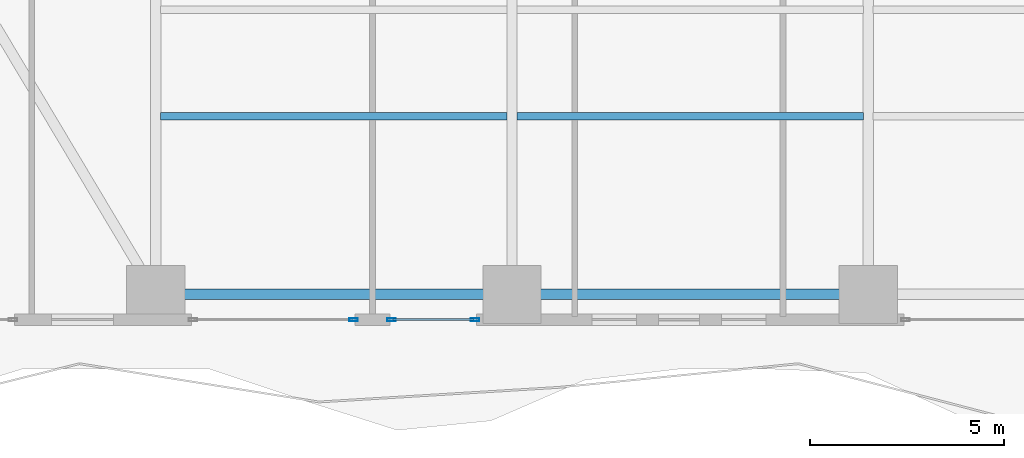
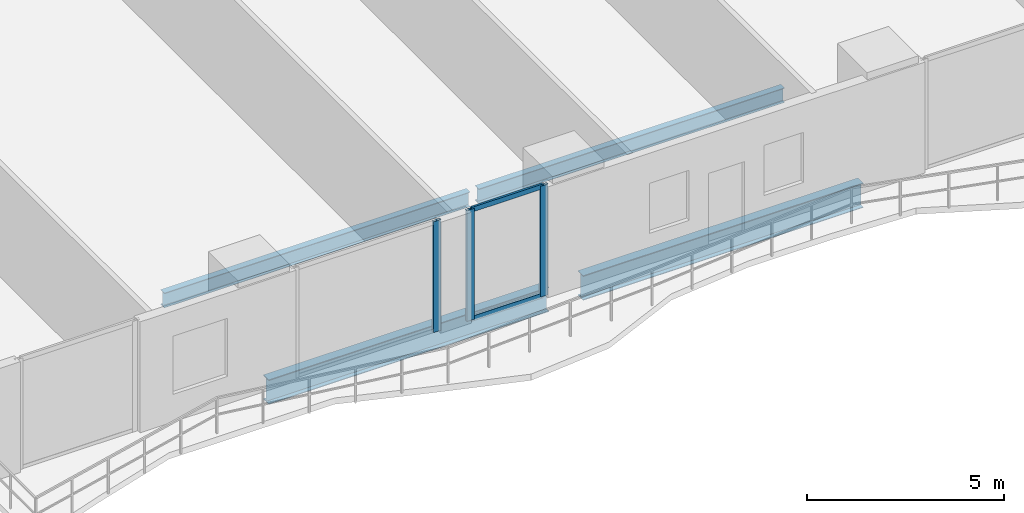
# One storey, part 4 of 29: 5 members, 4 beams, 2 elements without a shape of their own.
"""IFC4 building model written with IfcOpenShell, lengths in metres."""

from ifc_helpers import new_model, si_unit, direction, frame, origin, origin_2d, place, context, subcontext, project, spatial, hollow_rectangle, i_section, extrude, material, layer, layer_set, material_profile, profile_set, type_object, element, aggregate, save


model = new_model("IFC4")

# Units and contexts
model_context = context("Model", 3, precision=1e-05, world=origin(), true_north=direction((0.0, 1.0)))
body_context = subcontext(model_context, "Body", "Model", "MODEL_VIEW")
ifc_project = project(units=[si_unit("LENGTHUNIT", "METRE"), si_unit("AREAUNIT", "SQUARE_METRE"), si_unit("VOLUMEUNIT", "CUBIC_METRE"), si_unit("PLANEANGLEUNIT", "RADIAN"), si_unit("MASSUNIT", "GRAM", prefix="KILO")], contexts=[model_context])

# Site, building, storey
site_placement = place(None, origin())
site = spatial("IfcSite", under=ifc_project, at=site_placement, CompositionType="ELEMENT")
building_placement = place(site_placement, origin())
building = spatial("IfcBuilding", under=site, at=building_placement, Name="Zuhayl Quay Hotel", CompositionType="ELEMENT")
storey_placement = place(building_placement, frame((0.0, 0.0, 42.199951171875)))
storey = spatial("IfcBuildingStorey", under=building, at=storey_placement, Name="L09", CompositionType="ELEMENT", Elevation=42.199951171875)

# Beams
ifc_material_1 = material(Name="Steel ASTM A992 Grade 50", Category="steel")
ifc_material_profile_1 = material_profile(ifc_material_1, i_section(OverallWidth=0.26708984375, OverallDepth=0.761962890625, WebThickness=0.014404296875, FlangeThickness=0.021484375, at=origin_2d()), Name="W30X116")
ifc_profile_set_1 = profile_set([ifc_material_profile_1], Name="Steel ASTM A992 Grade 50")
beam_type_1 = type_object("IfcBeamType", Name="BM_B1_W30X116", PredefinedType="BEAM", material=ifc_profile_set_1)
beam_1_placement = place(storey_placement, frame((-13.300048828125, -22.449951171875, -0.600830078125), z_axis=(1.0, 0.0, 0.0), x_axis=(0.0, 1.0, 0.0)))
element("IfcBeam", 1, at=beam_1_placement, inside=storey, type_object=beam_type_1, Name="L09 Floor Beam RG_L09_01", PredefinedType="BEAM", context=body_context, shape_type="SweptSolid", body=[
    extrude(i_section(OverallWidth=0.26708984375, OverallDepth=0.761962890625, WebThickness=0.014404296875, FlangeThickness=0.021484375, at=origin_2d()), origin(), (0.0, 0.0, 1.0), 8.199951171875),
])
beam_2_placement = place(storey_placement, frame((-4.10009765625, -22.449951171875, -0.600830078125), z_axis=(1.0, 0.0, 0.0), x_axis=(0.0, 1.0, 0.0)))
element("IfcBeam", 2, at=beam_2_placement, inside=storey, type_object=beam_type_1, Name="L09 Floor Beam RG_L09_02", PredefinedType="BEAM", context=body_context, shape_type="SweptSolid", body=[
    extrude(i_section(OverallWidth=0.26708984375, OverallDepth=0.761962890625, WebThickness=0.014404296875, FlangeThickness=0.021484375, at=origin_2d()), origin(), (0.0, 0.0, 1.0), 8.2001953125),
])
ifc_material_profile_2 = material_profile(ifc_material_1, i_section(OverallWidth=0.18994140625, OverallDepth=0.45703125, WebThickness=0.009033203125, FlangeThickness=0.014404296875, at=origin_2d()), Name="W18X50")
ifc_profile_set_2 = profile_set([ifc_material_profile_2], Name="Steel ASTM A992 Grade 50")
beam_type_2 = type_object("IfcBeamType", Name="BM_J2_W18X50", PredefinedType="JOIST", material=ifc_profile_set_2)
beam_3_placement = place(storey_placement, frame((-13.674560546875, -17.85009765625, -0.448486328125), z_axis=(1.0, 0.0, 0.0), x_axis=(0.0, 1.0, 0.0)))
element("IfcBeam", 3, at=beam_3_placement, inside=storey, type_object=beam_type_2, Name="L09 Floor Beam FJ_L09_3_1", PredefinedType="JOIST", context=body_context, shape_type="SweptSolid", body=[
    extrude(i_section(OverallWidth=0.18994140625, OverallDepth=0.45703125, WebThickness=0.009033203125, FlangeThickness=0.014404296875, at=origin_2d()), origin(), (0.0, 0.0, 1.0), 8.948974609375),
])
beam_4_placement = place(storey_placement, frame((-4.474609375, -17.85009765625, -0.448486328125), z_axis=(1.0, 0.0, 0.0), x_axis=(0.0, 1.0, 0.0)))
element("IfcBeam", 4, at=beam_4_placement, inside=storey, type_object=beam_type_2, Name="L09 Floor Beam FJ_L09_3_2", PredefinedType="JOIST", context=body_context, shape_type="SweptSolid", body=[
    extrude(i_section(OverallWidth=0.18994140625, OverallDepth=0.45703125, WebThickness=0.009033203125, FlangeThickness=0.014404296875, at=origin_2d()), origin(), (0.0, 0.0, 1.0), 8.94921875),
])

# Curtain wall, members
ifc_material_2 = material(Name="Anodised Aluminium 6063-T6", Category="aluminium")
ifc_layer = layer(ifc_material_2, 0.18994140625, Name="Anodised Aluminium 6063-T6", Category="aluminium")
ifc_layer_set = layer_set([ifc_layer], Name="Anodised Aluminium 6063-T6")
curtain_wall_type = type_object("IfcCurtainWallType", Name="CW_SYS_Z1", PredefinedType="USERDEFINED", material=ifc_layer_set)
curtain_wall_1_placement = place(storey_placement, origin())
curtain_wall_1 = element("IfcCurtainWall", 5, at=curtain_wall_1_placement, inside=storey, type_object=curtain_wall_type, Name="L09 Curtain Wall ENV_L09_S_CW3", ObjectType="UNITISED CURTAIN WALL", PredefinedType="USERDEFINED")
ifc_material_3 = material(Name="Black-anodised aluminium 6063-T6", Category="aluminium")
ifc_material_profile_3 = material_profile(ifc_material_3, hollow_rectangle(XDim=0.074951171875, YDim=0.219970703125, WallThickness=0.00390625, at=origin_2d()), Name="ALU220X75")
ifc_profile_set_3 = profile_set([ifc_material_profile_3], Name="Black-anodised aluminium 6063-T6")
member_type_1 = type_object("IfcMemberType", Name="MB_CW_MUL_220", PredefinedType="MULLION", material=ifc_profile_set_3)
member_1_placement = place(storey_placement, frame((-5.5576171875, -23.10009765625, 0.0), z_axis=(0.0, 0.0, 1.0), x_axis=(0.0, -1.0, 0.0)))
member_1 = element("IfcMember", 6, at=member_1_placement, type_object=member_type_1, Name="CW-Z1 mullion 1", PredefinedType="MULLION", context=body_context, shape_type="SweptSolid", body=[
    extrude(hollow_rectangle(XDim=0.074951171875, YDim=0.219970703125, WallThickness=0.00390625, at=origin_2d()), origin(), (0.0, 0.0, 1.0), 3.429931640625),
])
member_2_placement = place(storey_placement, frame((-7.71240234375, -23.10009765625, 0.0), z_axis=(0.0, 0.0, 1.0), x_axis=(0.0, -1.0, 0.0)))
member_2 = element("IfcMember", 7, at=member_2_placement, type_object=member_type_1, Name="CW-Z1 mullion 2", PredefinedType="MULLION", context=body_context, shape_type="SweptSolid", body=[
    extrude(hollow_rectangle(XDim=0.074951171875, YDim=0.219970703125, WallThickness=0.00390625, at=origin_2d()), origin(), (0.0, 0.0, 1.0), 3.429931640625),
])

# Curtain wall, member
curtain_wall_2_placement = place(storey_placement, origin())
curtain_wall_2 = element("IfcCurtainWall", 8, at=curtain_wall_2_placement, inside=storey, type_object=curtain_wall_type, Name="L09 Curtain Wall ENV_L09_S_CW4", ObjectType="UNITISED CURTAIN WALL", PredefinedType="USERDEFINED")
member_3_placement = place(storey_placement, frame((-8.6875, -23.10009765625, 0.0), z_axis=(0.0, 0.0, 1.0), x_axis=(0.0, -1.0, 0.0)))
member_3 = element("IfcMember", 9, at=member_3_placement, type_object=member_type_1, Name="CW-Z1 mullion 1", PredefinedType="MULLION", context=body_context, shape_type="SweptSolid", body=[
    extrude(hollow_rectangle(XDim=0.074951171875, YDim=0.219970703125, WallThickness=0.00390625, at=origin_2d()), origin(), (0.0, 0.0, 1.0), 3.429931640625),
])
aggregate(curtain_wall_2, [member_3])

# Member
ifc_material_profile_4 = material_profile(ifc_material_3, hollow_rectangle(XDim=0.06005859375, YDim=0.14990234375, WallThickness=0.00341796875, at=origin_2d()), Name="ALU150X60")
ifc_profile_set_4 = profile_set([ifc_material_profile_4], Name="Black-anodised aluminium 6063-T6")
member_type_2 = type_object("IfcMemberType", Name="MB_CW_TRN_150", PredefinedType="USERDEFINED", material=ifc_profile_set_4)
member_4_placement = place(storey_placement, frame((-5.594970703125, -23.10009765625, 0.030029296875), z_axis=(-1.0, 0.0, 0.0), x_axis=(0.0, -1.0, 0.0)))
member_4 = element("IfcMember", 10, at=member_4_placement, type_object=member_type_2, Name="CW-Z1 transom 1.1", ObjectType="TRANSOM", PredefinedType="USERDEFINED", context=body_context, shape_type="SweptSolid", body=[
    extrude(hollow_rectangle(XDim=0.06005859375, YDim=0.14990234375, WallThickness=0.00341796875, at=origin_2d()), origin(), (0.0, 0.0, 1.0), 2.080078125),
])

member_5_placement = place(storey_placement, frame((-5.594970703125, -23.10009765625, 3.400146484375), z_axis=(-1.0, 0.0, 0.0), x_axis=(0.0, -1.0, 0.0)))
member_5 = element("IfcMember", 11, at=member_5_placement, type_object=member_type_2, Name="CW-Z1 transom 1.2", ObjectType="TRANSOM", PredefinedType="USERDEFINED", context=body_context, shape_type="SweptSolid", body=[
    extrude(hollow_rectangle(XDim=0.06005859375, YDim=0.14990234375, WallThickness=0.00341796875, at=origin_2d()), origin(), (0.0, 0.0, 1.0), 2.080078125),
])

aggregate(curtain_wall_1, [member_1, member_2, member_4, member_5])

save(model, "model.ifc")
